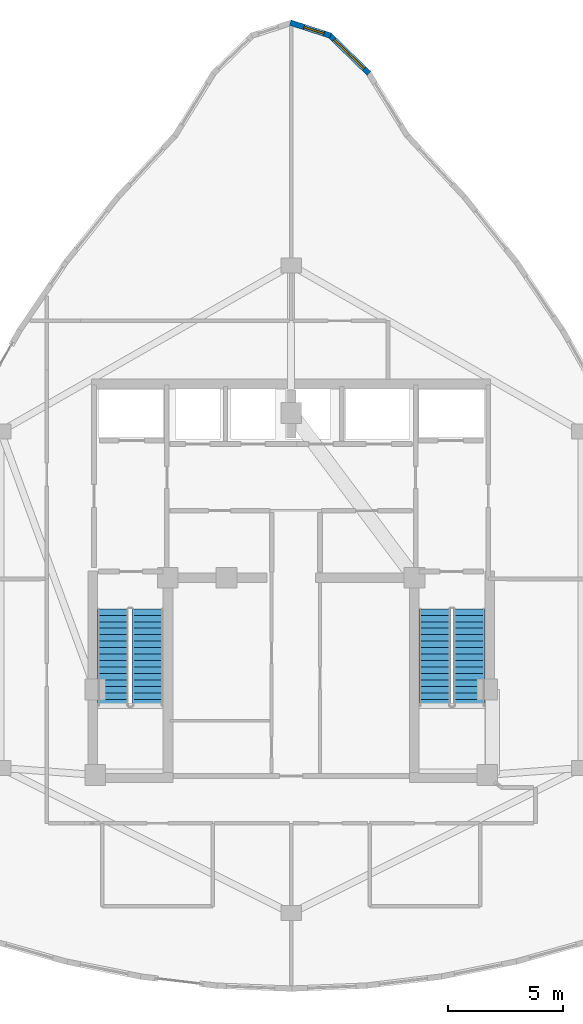
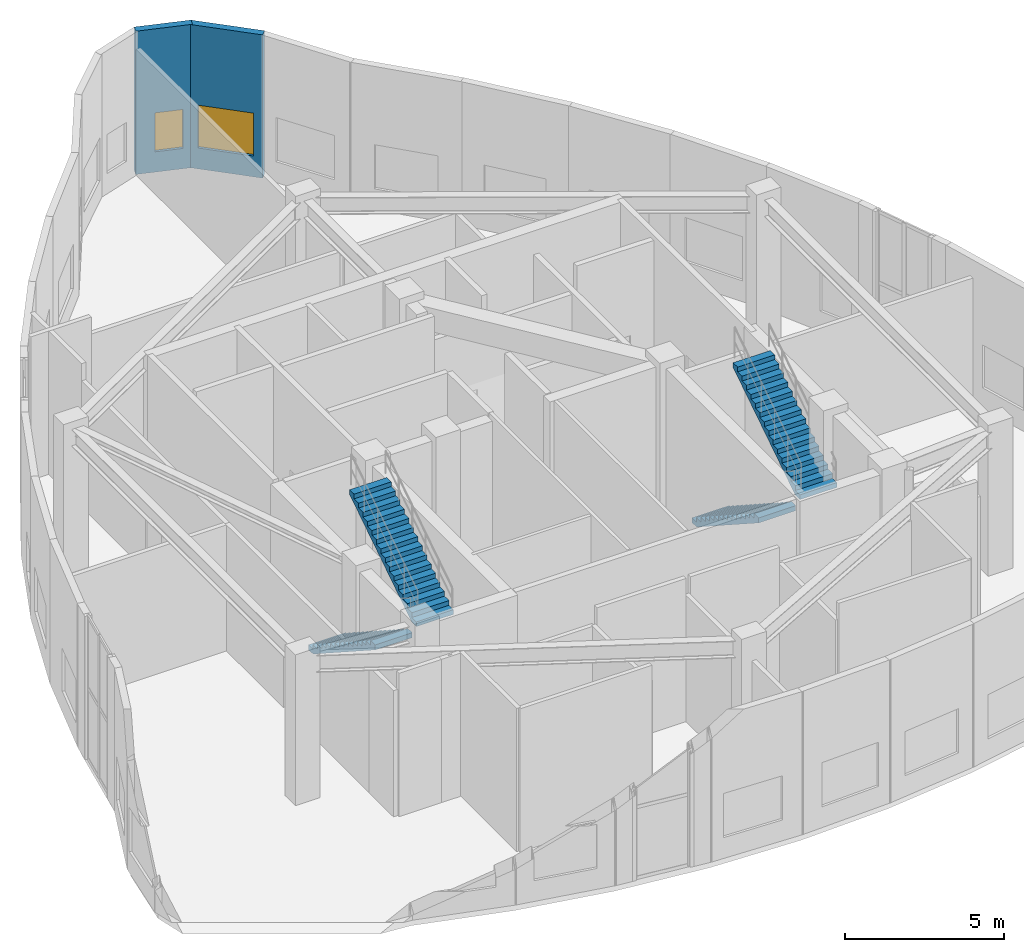
# One storey, part 15 of 16: 4 stair flights, 2 walls, 2 windows, 2 openings, 2 elements without a shape of their own.
"""IFC4 building model written with IfcOpenShell, lengths in metres."""

from ifc_helpers import new_model, si_unit, direction, frame, frame_2d, origin, place, context, subcontext, project, spatial, polyline, rectangle, outline, extrude, material, layer, layer_set, type_object, element, fill, aggregate, save


model = new_model("IFC4")

# Units and contexts
model_context = context("Model", 3, precision=1e-05, world=origin(), true_north=direction((0.0, 1.0)))
body_context = subcontext(model_context, "Body", "Model", "MODEL_VIEW")
ifc_project = project(units=[si_unit("LENGTHUNIT", "METRE"), si_unit("AREAUNIT", "SQUARE_METRE"), si_unit("VOLUMEUNIT", "CUBIC_METRE"), si_unit("PLANEANGLEUNIT", "RADIAN"), si_unit("MASSUNIT", "GRAM", prefix="KILO")], contexts=[model_context])

# Site, building, storey
site_placement = place(None, origin())
site = spatial("IfcSite", under=ifc_project, at=site_placement, CompositionType="ELEMENT")
building_placement = place(site_placement, origin())
building = spatial("IfcBuilding", under=site, at=building_placement, Name="Miruveldt Soraemaru", CompositionType="ELEMENT")
storey_placement = place(building_placement, frame((0.0, 0.0, 289.60009765625)))
storey = spatial("IfcBuildingStorey", under=building, at=storey_placement, Name="L78", CompositionType="ELEMENT", Elevation=289.60009765625)

# Wall, opening, window
ifc_material_1 = material(Name="Precast concrete C45/55 (45 MPa)", Category="concrete")
ifc_layer = layer(ifc_material_1, 0.239990234375, Name="Precast concrete C45/55 (45 MPa)", Category="concrete")
ifc_layer_set = layer_set([ifc_layer], Name="Precast concrete C45/55 (45 MPa)")
wall_type = type_object("IfcWallType", Name="WALL-EXT-PC240", PredefinedType="SOLIDWALL", material=ifc_layer_set)
wall_1_placement = place(storey_placement, frame((47.377685546875, 65.922119140625, 0.0), z_axis=(0.0, 0.0, 1.0), x_axis=(-0.717834290302, 0.69621399847, 0.0)))
wall_1 = element("IfcWall", 1, at=wall_1_placement, inside=storey, type_object=wall_type, Name="L78 Precast Concrete Facade Wall 2", PredefinedType="SOLIDWALL", context=body_context, shape_type="SweptSolid", body=[
    extrude(rectangle(XDim=2.4052734375, YDim=0.239990234375, at=frame_2d((1.20263671875, 0.0))), origin(), (0.0, 0.0, 1.0), 5.510009765625),
])
opening_1_placement = place(wall_1_placement, frame((0.302978515625, 0.0, 0.800048828125)))
opening_1 = element("IfcOpeningElement", 2, at=opening_1_placement, cuts=wall_1, Name="Opening WN-2", PredefinedType="OPENING", context=body_context, shape_type="SweptSolid", body=[
    extrude(rectangle(XDim=1.800048828125, YDim=1.64990234375, at=frame_2d((0.89990234375, 0.824951171875))), frame((0.0, 0.1298828125, 0.0), z_axis=(0.0, -1.0, 0.0), x_axis=(1.0, 0.0, 0.0)), (0.0, 0.0, 1.0), 0.260009765625),
])
ifc_material_2 = material(Name="Triple low-e insulated glazing", Category="glass")
window_type_1 = type_object("IfcWindowType", Name="WIN-PUNCH-1800x1650", PartitioningType="SINGLE_PANEL", PredefinedType="WINDOW", material=ifc_material_2)
window_1_placement = place(opening_1_placement, origin())
window_1 = element("IfcWindow", 3, at=window_1_placement, inside=storey, type_object=window_type_1, Name="L78 Punched Triple-Glazed Window 02.1", OverallHeight=1.64990234375, OverallWidth=1.800048828125, PartitioningType="SINGLE_PANEL", PredefinedType="WINDOW", context=body_context, shape_type="SweptSolid", body=[
    extrude(rectangle(XDim=1.800048828125, YDim=1.64990234375, at=frame_2d((0.89990234375, 0.824951171875))), frame((0.0, 0.030029296875, 0.0), z_axis=(0.0, -1.0, 0.0), x_axis=(1.0, 0.0, 0.0)), (0.0, 0.0, 1.0), 0.06005859375),
])
fill(opening_1, window_1)

wall_2_placement = place(storey_placement, frame((45.709716796875, 67.5615234375, 0.0), z_axis=(0.0, 0.0, 1.0), x_axis=(-0.951509938454, 0.307618005036, 0.0)))
wall_2 = element("IfcWall", 4, at=wall_2_placement, inside=storey, type_object=wall_type, Name="L78 Precast Concrete Facade Wall 3", PredefinedType="SOLIDWALL", context=body_context, shape_type="SweptSolid", body=[
    extrude(rectangle(XDim=1.831787109375, YDim=0.239990234375, at=frame_2d((0.916015625, 0.0))), origin(), (0.0, 0.0, 1.0), 5.510009765625),
])
opening_2_placement = place(wall_2_placement, frame((0.305908203125, 0.0, 0.780029296875)))
opening_2 = element("IfcOpeningElement", 5, at=opening_2_placement, cuts=wall_2, Name="Opening WN-7", PredefinedType="OPENING", context=body_context, shape_type="SweptSolid", body=[
    extrude(rectangle(XDim=0.89990234375, YDim=1.5, at=frame_2d((0.449951171875, 0.75))), frame((0.0, 0.1298828125, 0.0), z_axis=(0.0, -1.0, 0.0), x_axis=(1.0, 0.0, 0.0)), (0.0, 0.0, 1.0), 0.260009765625),
])
window_type_2 = type_object("IfcWindowType", Name="WIN-PUNCH-900x1500", PartitioningType="SINGLE_PANEL", PredefinedType="WINDOW", material=ifc_material_2)
window_2_placement = place(opening_2_placement, origin())
window_2 = element("IfcWindow", 6, at=window_2_placement, inside=storey, type_object=window_type_2, Name="L78 Punched Triple-Glazed Window 03.1", OverallHeight=1.5, OverallWidth=0.89990234375, PartitioningType="SINGLE_PANEL", PredefinedType="WINDOW", context=body_context, shape_type="SweptSolid", body=[
    extrude(rectangle(XDim=0.89990234375, YDim=1.5, at=frame_2d((0.449951171875, 0.75))), frame((0.0, 0.030029296875, 0.0), z_axis=(0.0, -1.0, 0.0), x_axis=(1.0, 0.0, 0.0)), (0.0, 0.0, 1.0), 0.06005859375),
])
fill(opening_2, window_2)

# Stair, stair flights
ifc_material_3 = material(Name="Concrete C40/50 (40 MPa)", Category="concrete")
stair_type = type_object("IfcStairType", Name="STAIR-DL-580", PredefinedType="HALF_TURN_STAIR", material=ifc_material_3)
stair_1_placement = place(storey_placement, origin())
stair_1 = element("IfcStair", 7, at=stair_1_placement, inside=storey, type_object=stair_type, Name="L78 Protected Exit Stair ST-1", PredefinedType="HALF_TURN_STAIR")
stair_flight_type = type_object("IfcStairFlightType", Name="SFL-DL-580", PredefinedType="STRAIGHT", material=ifc_material_3)
stair_flight_1_placement = place(storey_placement, frame((36.27490234375, 42.699951171875, 0.0), z_axis=(0.0, 0.0, 1.0), x_axis=(0.0, -1.0, 0.0)))
stair_flight_1 = element("IfcStairFlight", 8, at=stair_flight_1_placement, type_object=stair_flight_type, Name="ST-1 flight 1", NumberOfRisers=16, NumberOfTreads=15, PredefinedType="STRAIGHT", RiserHeight=0.18125, TreadLength=0.28, context=body_context, shape_type="SweptSolid", body=[
    extrude(outline(polyline([(0.0, 0.0), (0.0, 0.18115234375), (0.280029296875, 0.18115234375), (0.280029296875, 0.362548828125), (0.56005859375, 0.362548828125), (0.56005859375, 0.543701171875), (0.840087890625, 0.543701171875), (0.840087890625, 0.72509765625), (1.1201171875, 0.72509765625), (1.1201171875, 0.90625), (1.39990234375, 0.90625), (1.39990234375, 1.08740234375), (1.679931640625, 1.08740234375), (1.679931640625, 1.268798828125), (1.9599609375, 1.268798828125), (1.9599609375, 1.449951171875), (2.239990234375, 1.449951171875), (2.239990234375, 1.63134765625), (2.52001953125, 1.63134765625), (2.52001953125, 1.8125), (2.800048828125, 1.8125), (2.800048828125, 1.99365234375), (3.080078125, 1.99365234375), (3.080078125, 2.175048828125), (3.360107421875, 2.175048828125), (3.360107421875, 2.356201171875), (3.639892578125, 2.356201171875), (3.639892578125, 2.53759765625), (3.919921875, 2.53759765625), (3.919921875, 2.71875), (4.199951171875, 2.71875), (4.199951171875, 2.89990234375), (4.199951171875, 2.5283203125), (0.294189453125, 0.0), (0.0, 0.0)])), frame((0.0, 0.675048828125, 0.0), z_axis=(0.0, -1.0, 0.0), x_axis=(1.0, 0.0, 0.0)), (0.0, 0.0, 1.0), 1.35009765625),
])
stair_flight_2_placement = place(storey_placement, frame((37.77490234375, 38.5, 2.89990234375), z_axis=(0.0, 0.0, 1.0), x_axis=(0.0, 1.0, 0.0)))
stair_flight_2 = element("IfcStairFlight", 9, at=stair_flight_2_placement, type_object=stair_flight_type, Name="ST-1 flight 2", NumberOfRisers=16, NumberOfTreads=15, PredefinedType="STRAIGHT", RiserHeight=0.18125, TreadLength=0.28, context=body_context, shape_type="SweptSolid", body=[
    extrude(outline(polyline([(0.0, 0.0), (0.0, 0.18115234375), (0.280029296875, 0.18115234375), (0.280029296875, 0.362548828125), (0.56005859375, 0.362548828125), (0.56005859375, 0.543701171875), (0.840087890625, 0.543701171875), (0.840087890625, 0.72509765625), (1.1201171875, 0.72509765625), (1.1201171875, 0.90625), (1.39990234375, 0.90625), (1.39990234375, 1.08740234375), (1.679931640625, 1.08740234375), (1.679931640625, 1.268798828125), (1.9599609375, 1.268798828125), (1.9599609375, 1.449951171875), (2.239990234375, 1.449951171875), (2.239990234375, 1.63134765625), (2.52001953125, 1.63134765625), (2.52001953125, 1.8125), (2.800048828125, 1.8125), (2.800048828125, 1.99365234375), (3.080078125, 1.99365234375), (3.080078125, 2.175048828125), (3.360107421875, 2.175048828125), (3.360107421875, 2.356201171875), (3.639892578125, 2.356201171875), (3.639892578125, 2.53759765625), (3.919921875, 2.53759765625), (3.919921875, 2.71875), (4.199951171875, 2.71875), (4.199951171875, 2.89990234375), (4.199951171875, 2.5283203125), (0.294189453125, 0.0), (0.0, 0.0)])), frame((0.0, 0.675048828125, 0.0), z_axis=(0.0, -1.0, 0.0), x_axis=(1.0, 0.0, 0.0)), (0.0, 0.0, 1.0), 1.35009765625),
])
aggregate(stair_1, [stair_flight_1, stair_flight_2])

stair_2_placement = place(storey_placement, origin())
stair_2 = element("IfcStair", 10, at=stair_2_placement, inside=storey, type_object=stair_type, Name="L78 Protected Exit Stair ST-2", PredefinedType="HALF_TURN_STAIR")
stair_flight_3_placement = place(storey_placement, frame((50.22509765625, 42.699951171875, 0.0), z_axis=(0.0, 0.0, 1.0), x_axis=(0.0, -1.0, 0.0)))
stair_flight_3 = element("IfcStairFlight", 11, at=stair_flight_3_placement, type_object=stair_flight_type, Name="ST-2 flight 1", NumberOfRisers=16, NumberOfTreads=15, PredefinedType="STRAIGHT", RiserHeight=0.18125, TreadLength=0.28, context=body_context, shape_type="SweptSolid", body=[
    extrude(outline(polyline([(0.0, 0.0), (0.0, 0.18115234375), (0.280029296875, 0.18115234375), (0.280029296875, 0.362548828125), (0.56005859375, 0.362548828125), (0.56005859375, 0.543701171875), (0.840087890625, 0.543701171875), (0.840087890625, 0.72509765625), (1.1201171875, 0.72509765625), (1.1201171875, 0.90625), (1.39990234375, 0.90625), (1.39990234375, 1.08740234375), (1.679931640625, 1.08740234375), (1.679931640625, 1.268798828125), (1.9599609375, 1.268798828125), (1.9599609375, 1.449951171875), (2.239990234375, 1.449951171875), (2.239990234375, 1.63134765625), (2.52001953125, 1.63134765625), (2.52001953125, 1.8125), (2.800048828125, 1.8125), (2.800048828125, 1.99365234375), (3.080078125, 1.99365234375), (3.080078125, 2.175048828125), (3.360107421875, 2.175048828125), (3.360107421875, 2.356201171875), (3.639892578125, 2.356201171875), (3.639892578125, 2.53759765625), (3.919921875, 2.53759765625), (3.919921875, 2.71875), (4.199951171875, 2.71875), (4.199951171875, 2.89990234375), (4.199951171875, 2.5283203125), (0.294189453125, 0.0), (0.0, 0.0)])), frame((0.0, 0.675048828125, 0.0), z_axis=(0.0, -1.0, 0.0), x_axis=(1.0, 0.0, 0.0)), (0.0, 0.0, 1.0), 1.35009765625),
])
stair_flight_4_placement = place(storey_placement, frame((51.72509765625, 38.5, 2.89990234375), z_axis=(0.0, 0.0, 1.0), x_axis=(0.0, 1.0, 0.0)))
stair_flight_4 = element("IfcStairFlight", 12, at=stair_flight_4_placement, type_object=stair_flight_type, Name="ST-2 flight 2", NumberOfRisers=16, NumberOfTreads=15, PredefinedType="STRAIGHT", RiserHeight=0.18125, TreadLength=0.28, context=body_context, shape_type="SweptSolid", body=[
    extrude(outline(polyline([(0.0, 0.0), (0.0, 0.18115234375), (0.280029296875, 0.18115234375), (0.280029296875, 0.362548828125), (0.56005859375, 0.362548828125), (0.56005859375, 0.543701171875), (0.840087890625, 0.543701171875), (0.840087890625, 0.72509765625), (1.1201171875, 0.72509765625), (1.1201171875, 0.90625), (1.39990234375, 0.90625), (1.39990234375, 1.08740234375), (1.679931640625, 1.08740234375), (1.679931640625, 1.268798828125), (1.9599609375, 1.268798828125), (1.9599609375, 1.449951171875), (2.239990234375, 1.449951171875), (2.239990234375, 1.63134765625), (2.52001953125, 1.63134765625), (2.52001953125, 1.8125), (2.800048828125, 1.8125), (2.800048828125, 1.99365234375), (3.080078125, 1.99365234375), (3.080078125, 2.175048828125), (3.360107421875, 2.175048828125), (3.360107421875, 2.356201171875), (3.639892578125, 2.356201171875), (3.639892578125, 2.53759765625), (3.919921875, 2.53759765625), (3.919921875, 2.71875), (4.199951171875, 2.71875), (4.199951171875, 2.89990234375), (4.199951171875, 2.5283203125), (0.294189453125, 0.0), (0.0, 0.0)])), frame((0.0, 0.675048828125, 0.0), z_axis=(0.0, -1.0, 0.0), x_axis=(1.0, 0.0, 0.0)), (0.0, 0.0, 1.0), 1.35009765625),
])
aggregate(stair_2, [stair_flight_3, stair_flight_4])

save(model, "model.ifc")
